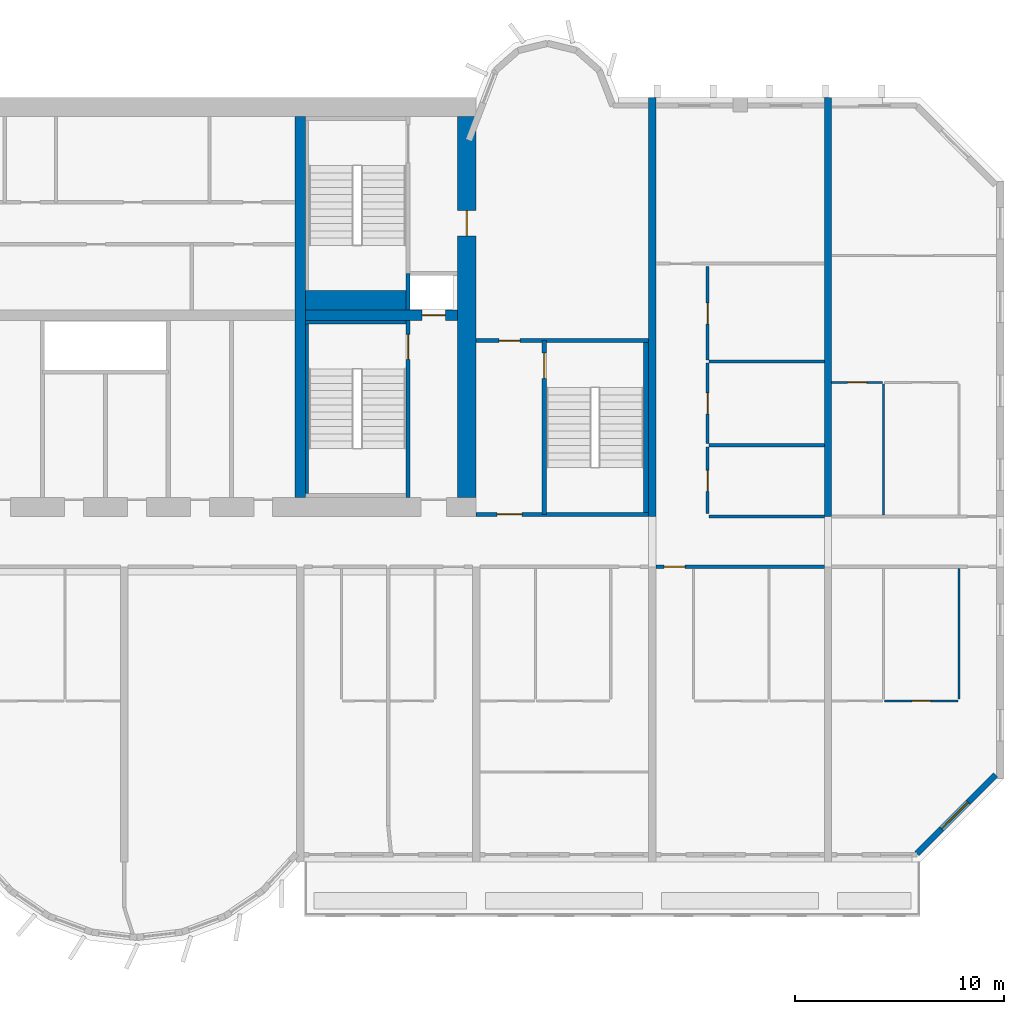
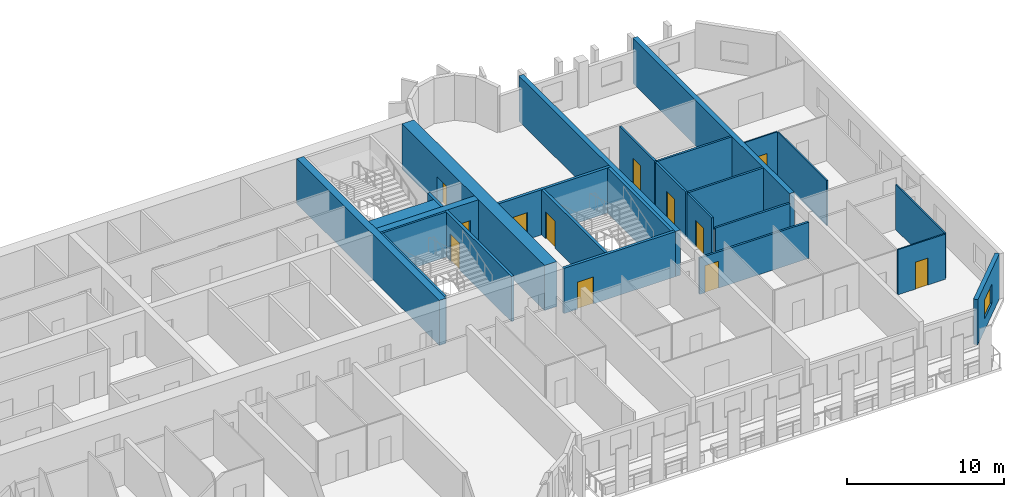
# One storey, part 9 of 14: 26 walls, 12 doors, 1 window, 13 openings.
"""IFC4 building model written with IfcOpenShell, lengths in metres."""

from ifc_helpers import new_model, si_unit, direction, frame, frame_2d, origin, place, context, subcontext, project, spatial, rectangle, extrude, source, transform, mapped, material, layer, layer_set, type_object, element, fill, save


model = new_model("IFC4")

# Units and contexts
model_context = context("Model", 3, precision=1e-05, world=origin(), true_north=direction((0.0, 1.0)))
body_context = subcontext(model_context, "Body", "Model", "MODEL_VIEW")
ifc_project = project(units=[si_unit("LENGTHUNIT", "METRE"), si_unit("AREAUNIT", "SQUARE_METRE"), si_unit("VOLUMEUNIT", "CUBIC_METRE"), si_unit("PLANEANGLEUNIT", "RADIAN"), si_unit("MASSUNIT", "GRAM", prefix="KILO")], contexts=[model_context])

# Site, building, storey
site_placement = place(None, origin())
site = spatial("IfcSite", under=ifc_project, at=site_placement, CompositionType="ELEMENT")
building_placement = place(site_placement, origin())
building = spatial("IfcBuilding", under=site, at=building_placement, Name="Vanashikhar Sky Hotel", CompositionType="ELEMENT")
storey_placement = place(building_placement, frame((0.0, 0.0, 118.0)))
storey = spatial("IfcBuildingStorey", under=building, at=storey_placement, Name="L28", CompositionType="ELEMENT", Elevation=118.0)

# Wall, opening, door
ifc_material_1 = material(Name="Concrete M70", Category="concrete")
ifc_layer_1 = layer(ifc_material_1, 0.89990234375)
ifc_layer_set_1 = layer_set([ifc_layer_1], Name="RC core shell wall 900 Concrete M70")
wall_type_1 = type_object("IfcWallType", Name="RC core shell wall 900 Concrete M70", PredefinedType="SHEAR", material=ifc_layer_set_1)
shared_shape_1 = source(origin(), body_context, "Body", "SweptSolid", [
    extrude(rectangle(XDim=18.2001953125, YDim=0.89990234375, at=frame_2d((9.10009765625, 0.0))), origin(), (0.0, 0.0, 1.0), 3.52001953125),
])
wall_1_placement = place(storey_placement, frame((75.14990234375, 22.89990234375, 0.0), z_axis=(0.0, 0.0, 1.0), x_axis=(0.0, 1.0, 0.0)))
wall_1 = element("IfcWall", 1, at=wall_1_placement, inside=storey, type_object=wall_type_1, Name="KW-L28-KE", PredefinedType="SHEAR", context=body_context, shape_type="MappedRepresentation", body=[
    mapped(shared_shape_1, transform((0.0, 0.0, 0.0), scale=1.0)),
])
shared_shape_2 = source(origin(), body_context, "Body", "SweptSolid", [
    extrude(rectangle(XDim=1.199951171875, YDim=2.10009765625, at=frame_2d((0.60009765625, 1.050048828125))), frame((0.0, 0.4599609375, 0.0), z_axis=(0.0, -1.0, 0.0), x_axis=(1.0, 0.0, 0.0)), (0.0, 0.0, 1.0), 0.919921875),
])
opening_1_placement = place(wall_1_placement, frame((12.5, 0.0, 0.0)))
opening_1 = element("IfcOpeningElement", 2, at=opening_1_placement, cuts=wall_1, Name="Opening DC-4-D", PredefinedType="OPENING", context=body_context, shape_type="MappedRepresentation", body=[
    mapped(shared_shape_2, transform((0.0, 0.0, 0.0), scale=1.0)),
])
ifc_material_2 = material(Name="Steel", Category="steel")
door_type_1 = type_object("IfcDoorType", Name="Service door 1200 FD120", OperationType="NOTDEFINED", PredefinedType="DOOR", material=ifc_material_2)
shared_shape_3 = source(origin(), body_context, "Body", "SweptSolid", [
    extrude(rectangle(XDim=1.199951171875, YDim=2.10009765625, at=frame_2d((0.60009765625, 1.050048828125))), frame((0.0, 0.02490234375, 0.0), z_axis=(0.0, -1.0, 0.0), x_axis=(1.0, 0.0, 0.0)), (0.0, 0.0, 1.0), 0.050048828125),
])
door_1_placement = place(opening_1_placement, origin())
door_1 = element("IfcDoor", 3, at=door_1_placement, inside=storey, type_object=door_type_1, Name="Service door 1200 FD120", OperationType="SINGLE_SWING_RIGHT", OverallHeight=2.10009765625, OverallWidth=1.199951171875, PredefinedType="DOOR", context=body_context, shape_type="MappedRepresentation", body=[
    mapped(shared_shape_3, transform((0.0, 0.0, 0.0), scale=1.0)),
])
fill(opening_1, door_1)

# Wall
ifc_layer_2 = layer(ifc_material_1, 0.5)
ifc_layer_set_2 = layer_set([ifc_layer_2], Name="RC core inner wall 500 Concrete M70")
wall_type_2 = type_object("IfcWallType", Name="RC core inner wall 500 Concrete M70", PredefinedType="SHEAR", material=ifc_layer_set_2)
shared_shape_4 = source(origin(), body_context, "Body", "SweptSolid", [
    extrude(rectangle(XDim=18.2001953125, YDim=0.5, at=frame_2d((9.10009765625, 0.0))), origin(), (0.0, 0.0, 1.0), 3.52001953125),
])
wall_2_placement = place(storey_placement, frame((67.199951171875, 22.89990234375, 0.0), z_axis=(0.0, 0.0, 1.0), x_axis=(0.0, 1.0, 0.0)))
element("IfcWall", 4, at=wall_2_placement, inside=storey, type_object=wall_type_2, Name="KW-L28-KX3", PredefinedType="SHEAR", context=body_context, shape_type="MappedRepresentation", body=[
    mapped(shared_shape_4, transform((0.0, 0.0, 0.0), scale=1.0)),
])

# Wall, opening, door
shared_shape_5 = source(origin(), body_context, "Body", "SweptSolid", [
    extrude(rectangle(XDim=7.25, YDim=0.5, at=frame_2d((3.625, 0.0))), origin(), (0.0, 0.0, 1.0), 3.52001953125),
])
wall_3_placement = place(storey_placement, frame((67.449951171875, 31.60009765625, 0.0), z_axis=(0.0, 0.0, 1.0), x_axis=(1.0, 0.0, 0.0)))
wall_3 = element("IfcWall", 5, at=wall_3_placement, inside=storey, type_object=wall_type_2, Name="KW-L28-KY4", PredefinedType="SHEAR", context=body_context, shape_type="MappedRepresentation", body=[
    mapped(shared_shape_5, transform((0.0, 0.0, 0.0), scale=1.0)),
])
shared_shape_6 = source(origin(), body_context, "Body", "SweptSolid", [
    extrude(rectangle(XDim=1.10009765625, YDim=2.10009765625, at=frame_2d((0.550048828125, 1.050048828125))), frame((0.0, 0.260009765625, 0.0), z_axis=(0.0, -1.0, 0.0), x_axis=(1.0, 0.0, 0.0)), (0.0, 0.0, 1.0), 0.52001953125),
])
opening_2_placement = place(wall_3_placement, frame((5.574951171875, 0.0, 0.0)))
opening_2 = element("IfcOpeningElement", 6, at=opening_2_placement, cuts=wall_3, Name="Opening LD", PredefinedType="OPENING", context=body_context, shape_type="MappedRepresentation", body=[
    mapped(shared_shape_6, transform((0.0, 0.0, 0.0), scale=1.0)),
])
ifc_material_3 = material(Name="Stainless steel", Category="steel")
door_type_2 = type_object("IfcDoorType", Name="Lift landing door 1100", OperationType="NOTDEFINED", PredefinedType="DOOR", material=ifc_material_3)
shared_shape_7 = source(origin(), body_context, "Body", "SweptSolid", [
    extrude(rectangle(XDim=1.10009765625, YDim=2.10009765625, at=frame_2d((0.550048828125, 1.050048828125))), frame((0.0, 0.02490234375, 0.0), z_axis=(0.0, -1.0, 0.0), x_axis=(1.0, 0.0, 0.0)), (0.0, 0.0, 1.0), 0.050048828125),
])
door_2_placement = place(opening_2_placement, origin())
door_2 = element("IfcDoor", 7, at=door_2_placement, inside=storey, type_object=door_type_2, Name="Lift landing door 1100", OperationType="SLIDING_TO_RIGHT", OverallHeight=2.10009765625, OverallWidth=1.10009765625, PredefinedType="DOOR", context=body_context, shape_type="MappedRepresentation", body=[
    mapped(shared_shape_7, transform((0.0, 0.0, 0.0), scale=1.0)),
])
fill(opening_2, door_2)

# Walls
ifc_layer_3 = layer(ifc_material_1, 0.35009765625)
ifc_layer_set_3 = layer_set([ifc_layer_3], Name="RC shear wall 350 Concrete M70")
wall_type_3 = type_object("IfcWallType", Name="RC shear wall 350 Concrete M70", PredefinedType="SHEAR", material=ifc_layer_set_3)
shared_shape_8 = source(origin(), body_context, "Body", "SweptSolid", [
    extrude(rectangle(XDim=20.0, YDim=0.35009765625, at=frame_2d((10.0, 0.0))), origin(), (0.0, 0.0, 1.0), 3.52001953125),
])
for number, where, z_axis, x_axis, name in (
    (8, (84.0, 22.0, 0.0), (0.0, 0.0, 1.0), (0.0, 1.0, 0.0), "CW-L28-XW11-2"),
    (9, (92.39990234375, 22.0, 0.0), (0.0, 0.0, 1.0), (0.0, 1.0, 0.0), "CW-L28-XW12-2"),
):
    element("IfcWall", number, at=place(storey_placement, frame(where, z_axis=z_axis, x_axis=x_axis)), inside=storey, type_object=wall_type_3, Name=name, PredefinedType="SHEAR", context=body_context, shape_type="MappedRepresentation", body=[
        mapped(shared_shape_8, transform((0.0, 0.0, 0.0), scale=1.0)),
    ])

# Wall, opening, window
ifc_material_4 = material(Name="Concrete M50", Category="concrete")
ifc_layer_4 = layer(ifc_material_4, 0.300048828125)
ifc_layer_set_4 = layer_set([ifc_layer_4], Name="Lobe wall 300")
wall_type_4 = type_object("IfcWallType", Name="Lobe wall 300", PredefinedType="SOLIDWALL", material=ifc_layer_set_4)
shared_shape_9 = source(origin(), body_context, "Body", "SweptSolid", [
    extrude(rectangle(XDim=5.32568359375, YDim=0.300048828125, at=frame_2d((2.662841796875, 0.0))), origin(), (0.0, 0.0, 1.0), 3.52001953125),
])
wall_4_placement = place(storey_placement, frame((96.63427734375, 5.89990234375, 0.0), z_axis=(0.0, 0.0, 1.0), x_axis=(0.707083859269, 0.707129702361, 0.0)))
wall_4 = element("IfcWall", 10, at=wall_4_placement, inside=storey, type_object=wall_type_4, Name="Corner wall", PredefinedType="SOLIDWALL", context=body_context, shape_type="MappedRepresentation", body=[
    mapped(shared_shape_9, transform((0.0, 0.0, 0.0), scale=1.0)),
])
shared_shape_10 = source(origin(), body_context, "Body", "SweptSolid", [
    extrude(rectangle(XDim=1.800048828125, YDim=1.5, at=frame_2d((0.89990234375, 0.75))), frame((0.0, 0.16015625, 0.0), z_axis=(0.0, -1.0, 0.0), x_axis=(1.0, 0.0, 0.0)), (0.0, 0.0, 1.0), 0.320068359375),
])
opening_3_placement = place(wall_4_placement, frame((1.671875, 0.0, 0.89990234375)))
opening_3 = element("IfcOpeningElement", 11, at=opening_3_placement, cuts=wall_4, Name="Opening WN-4", PredefinedType="OPENING", context=body_context, shape_type="MappedRepresentation", body=[
    mapped(shared_shape_10, transform((0.0, 0.0, 0.0), scale=1.0)),
])
ifc_material_5 = material(Name="Glass", Category="glass")
window_type = type_object("IfcWindowType", Name="Corner window 1800 x 1500", PartitioningType="SINGLE_PANEL", PredefinedType="WINDOW", material=ifc_material_5)
shared_shape_11 = source(origin(), body_context, "Body", "SweptSolid", [
    extrude(rectangle(XDim=1.800048828125, YDim=1.5, at=frame_2d((0.89990234375, 0.75))), frame((0.0, 0.030029296875, 0.0), z_axis=(0.0, -1.0, 0.0), x_axis=(1.0, 0.0, 0.0)), (0.0, 0.0, 1.0), 0.06005859375),
])
window_placement = place(opening_3_placement, origin())
window = element("IfcWindow", 12, at=window_placement, inside=storey, type_object=window_type, Name="Window WN-4", OverallHeight=1.5, OverallWidth=1.800048828125, PartitioningType="SINGLE_PANEL", PredefinedType="WINDOW", context=body_context, shape_type="MappedRepresentation", body=[
    mapped(shared_shape_11, transform((0.0, 0.0, 0.0), scale=1.0)),
])
fill(opening_3, window)

# Wall, opening, door
ifc_layer_5 = layer(ifc_material_4, 0.199951171875)
ifc_layer_set_5 = layer_set([ifc_layer_5], Name="Stair wall 200")
wall_type_5 = type_object("IfcWallType", Name="Stair wall 200", PredefinedType="SOLIDWALL", material=ifc_layer_set_5)
shared_shape_12 = source(origin(), body_context, "Body", "SweptSolid", [
    extrude(rectangle(XDim=8.2998046875, YDim=0.199951171875, at=frame_2d((4.14990234375, 0.0))), origin(), (0.0, 0.0, 1.0), 3.52001953125),
])
wall_5_placement = place(storey_placement, frame((78.85009765625, 22.10009765625, 0.0), z_axis=(0.0, 0.0, 1.0), x_axis=(0.0, 1.0, 0.0)))
wall_5 = element("IfcWall", 13, at=wall_5_placement, inside=storey, type_object=wall_type_5, Name="Stair wall 200", PredefinedType="SOLIDWALL", context=body_context, shape_type="MappedRepresentation", body=[
    mapped(shared_shape_12, transform((0.0, 0.0, 0.0), scale=1.0)),
])
shared_shape_13 = source(origin(), body_context, "Body", "SweptSolid", [
    extrude(rectangle(XDim=1.199951171875, YDim=2.10009765625, at=frame_2d((0.60009765625, 1.050048828125))), frame((0.0, 0.10986328125, 0.0), z_axis=(0.0, -1.0, 0.0), x_axis=(1.0, 0.0, 0.0)), (0.0, 0.0, 1.0), 0.219970703125),
])
opening_4_placement = place(wall_5_placement, frame((6.5, 0.0, 0.0)))
opening_4 = element("IfcOpeningElement", 14, at=opening_4_placement, cuts=wall_5, Name="Opening DC-1", PredefinedType="OPENING", context=body_context, shape_type="MappedRepresentation", body=[
    mapped(shared_shape_13, transform((0.0, 0.0, 0.0), scale=1.0)),
])
door_type_3 = type_object("IfcDoorType", Name="Stair door 1200 FD120", OperationType="NOTDEFINED", PredefinedType="DOOR", material=ifc_material_2)
door_3_placement = place(opening_4_placement, origin())
door_3 = element("IfcDoor", 15, at=door_3_placement, inside=storey, type_object=door_type_3, Name="Stair door 1200 FD120", OperationType="SINGLE_SWING_RIGHT", OverallHeight=2.10009765625, OverallWidth=1.199951171875, PredefinedType="DOOR", context=body_context, shape_type="MappedRepresentation", body=[
    mapped(shared_shape_3, transform((0.0, 0.0, 0.0), scale=1.0)),
])
fill(opening_4, door_3)

shared_shape_14 = source(origin(), body_context, "Body", "SweptSolid", [
    extrude(rectangle(XDim=8.4501953125, YDim=0.199951171875, at=frame_2d((4.22509765625, 0.0))), origin(), (0.0, 0.0, 1.0), 3.52001953125),
])
wall_6_placement = place(storey_placement, frame((72.35009765625, 22.89990234375, 0.0), z_axis=(0.0, 0.0, 1.0), x_axis=(0.0, 1.0, 0.0)))
wall_6 = element("IfcWall", 16, at=wall_6_placement, inside=storey, type_object=wall_type_5, Name="Stair wall 200", PredefinedType="SOLIDWALL", context=body_context, shape_type="MappedRepresentation", body=[
    mapped(shared_shape_14, transform((0.0, 0.0, 0.0), scale=1.0)),
])
opening_5_placement = place(wall_6_placement, frame((6.60009765625, 0.0, 0.0)))
opening_5 = element("IfcOpeningElement", 17, at=opening_5_placement, cuts=wall_6, Name="Opening DC-1", PredefinedType="OPENING", context=body_context, shape_type="MappedRepresentation", body=[
    mapped(shared_shape_13, transform((0.0, 0.0, 0.0), scale=1.0)),
])
door_4_placement = place(opening_5_placement, origin())
door_4 = element("IfcDoor", 18, at=door_4_placement, inside=storey, type_object=door_type_3, Name="Stair door 1200 FD120", OperationType="SINGLE_SWING_LEFT", OverallHeight=2.10009765625, OverallWidth=1.199951171875, PredefinedType="DOOR", context=body_context, shape_type="MappedRepresentation", body=[
    mapped(shared_shape_3, transform((0.0, 0.0, 0.0), scale=1.0)),
])
fill(opening_5, door_4)

# Wall
ifc_material_6 = material(Name="Concrete M40", Category="concrete")
ifc_layer_6 = layer(ifc_material_6, 0.199951171875)
ifc_layer_set_6 = layer_set([ifc_layer_6], Name="Shaft wall 200")
wall_type_6 = type_object("IfcWallType", Name="Shaft wall 200", PredefinedType="SOLIDWALL", material=ifc_layer_set_6)
shared_shape_15 = source(origin(), body_context, "Body", "SweptSolid", [
    extrude(rectangle(XDim=1.75, YDim=0.199951171875, at=frame_2d((0.875, 0.0))), origin(), (0.0, 0.0, 1.0), 3.52001953125),
])
wall_7_placement = place(storey_placement, frame((72.35009765625, 31.85009765625, 0.0), z_axis=(0.0, 0.0, 1.0), x_axis=(0.0, 1.0, 0.0)))
element("IfcWall", 19, at=wall_7_placement, inside=storey, type_object=wall_type_6, Name="Shaft wall 200", PredefinedType="SOLIDWALL", context=body_context, shape_type="MappedRepresentation", body=[
    mapped(shared_shape_15, transform((0.0, 0.0, 0.0), scale=1.0)),
])

# Wall, opening, door
shared_shape_16 = source(origin(), body_context, "Body", "SweptSolid", [
    extrude(rectangle(XDim=8.224853515625, YDim=0.199951171875, at=frame_2d((4.1123046875, 0.0))), origin(), (0.0, 0.0, 1.0), 3.52001953125),
])
wall_8_placement = place(storey_placement, frame((83.824951171875, 22.10009765625, 0.0), z_axis=(0.0, 0.0, 1.0), x_axis=(-1.0, 0.0, 0.0)))
wall_8 = element("IfcWall", 20, at=wall_8_placement, inside=storey, type_object=wall_type_5, Name="Stair wall 200", PredefinedType="SOLIDWALL", context=body_context, shape_type="MappedRepresentation", body=[
    mapped(shared_shape_16, transform((0.0, 0.0, 0.0), scale=1.0)),
])
opening_6_placement = place(wall_8_placement, frame((6.02490234375, 0.0, 0.0)))
opening_6 = element("IfcOpeningElement", 21, at=opening_6_placement, cuts=wall_8, Name="Opening DC-2", PredefinedType="OPENING", context=body_context, shape_type="MappedRepresentation", body=[
    mapped(shared_shape_13, transform((0.0, 0.0, 0.0), scale=1.0)),
])
door_type_4 = type_object("IfcDoorType", Name="Firefighting lobby door 1200 FD120", OperationType="NOTDEFINED", PredefinedType="DOOR", material=ifc_material_2)
door_5_placement = place(opening_6_placement, origin())
door_5 = element("IfcDoor", 22, at=door_5_placement, inside=storey, type_object=door_type_4, Name="Firefighting lobby door 1200 FD120", OperationType="SINGLE_SWING_RIGHT", OverallHeight=2.10009765625, OverallWidth=1.199951171875, PredefinedType="DOOR", context=body_context, shape_type="MappedRepresentation", body=[
    mapped(shared_shape_3, transform((0.0, 0.0, 0.0), scale=1.0)),
])
fill(opening_6, door_5)

wall_9_placement = place(storey_placement, frame((83.824951171875, 30.39990234375, 0.0), z_axis=(0.0, 0.0, 1.0), x_axis=(-1.0, 0.0, 0.0)))
wall_9 = element("IfcWall", 23, at=wall_9_placement, inside=storey, type_object=wall_type_5, Name="Stair wall 200", PredefinedType="SOLIDWALL", context=body_context, shape_type="MappedRepresentation", body=[
    mapped(shared_shape_16, transform((0.0, 0.0, 0.0), scale=1.0)),
])
shared_shape_17 = source(origin(), body_context, "Body", "SweptSolid", [
    extrude(rectangle(XDim=1.0, YDim=2.10009765625, at=frame_2d((0.5, 1.050048828125))), frame((0.0, 0.10986328125, 0.0), z_axis=(0.0, -1.0, 0.0), x_axis=(1.0, 0.0, 0.0)), (0.0, 0.0, 1.0), 0.219970703125),
])
opening_7_placement = place(wall_9_placement, frame((6.125, 0.0, 0.0)))
opening_7 = element("IfcOpeningElement", 24, at=opening_7_placement, cuts=wall_9, Name="Opening DC-6", PredefinedType="OPENING", context=body_context, shape_type="MappedRepresentation", body=[
    mapped(shared_shape_17, transform((0.0, 0.0, 0.0), scale=1.0)),
])
door_type_5 = type_object("IfcDoorType", Name="Pocket door 1000 FD60", OperationType="NOTDEFINED", PredefinedType="DOOR", material=ifc_material_2)
shared_shape_18 = source(origin(), body_context, "Body", "SweptSolid", [
    extrude(rectangle(XDim=1.0, YDim=2.10009765625, at=frame_2d((0.5, 1.050048828125))), frame((0.0, 0.02490234375, 0.0), z_axis=(0.0, -1.0, 0.0), x_axis=(1.0, 0.0, 0.0)), (0.0, 0.0, 1.0), 0.050048828125),
])
door_6_placement = place(opening_7_placement, origin())
door_6 = element("IfcDoor", 25, at=door_6_placement, inside=storey, type_object=door_type_5, Name="Pocket door 1000 FD60", OperationType="SINGLE_SWING_RIGHT", OverallHeight=2.10009765625, OverallWidth=1.0, PredefinedType="DOOR", context=body_context, shape_type="MappedRepresentation", body=[
    mapped(shared_shape_18, transform((0.0, 0.0, 0.0), scale=1.0)),
])
fill(opening_7, door_6)

# Walls
ifc_layer_7 = layer(ifc_material_4, 0.14990234375)
ifc_layer_set_7 = layer_set([ifc_layer_7], Name="Stair infill wall 150")
wall_type_7 = type_object("IfcWallType", Name="Stair infill wall 150", PredefinedType="SOLIDWALL", material=ifc_layer_set_7)
shared_shape_19 = source(origin(), body_context, "Body", "SweptSolid", [
    extrude(rectangle(XDim=4.800048828125, YDim=0.14990234375, at=frame_2d((2.39990234375, 0.0))), origin(), (0.0, 0.0, 1.0), 3.52001953125),
])
wall_10_placement = place(storey_placement, frame((67.449951171875, 31.27490234375, 0.0), z_axis=(0.0, 0.0, 1.0), x_axis=(1.0, 0.0, 0.0)))
element("IfcWall", 26, at=wall_10_placement, inside=storey, type_object=wall_type_7, Name="Stair infill wall 150", PredefinedType="SOLIDWALL", context=body_context, shape_type="MappedRepresentation", body=[
    mapped(shared_shape_19, transform((0.0, 0.0, 0.0), scale=1.0)),
])
shared_shape_20 = source(origin(), body_context, "Body", "SweptSolid", [
    extrude(rectangle(XDim=8.099853515625, YDim=0.14990234375, at=frame_2d((4.0498046875, 0.0))), origin(), (0.0, 0.0, 1.0), 3.52001953125),
])
wall_11_placement = place(storey_placement, frame((67.52490234375, 23.10009765625, 0.0), z_axis=(0.0, 0.0, 1.0), x_axis=(0.0, 1.0, 0.0)))
element("IfcWall", 27, at=wall_11_placement, inside=storey, type_object=wall_type_7, Name="Stair infill wall 150", PredefinedType="SOLIDWALL", context=body_context, shape_type="MappedRepresentation", body=[
    mapped(shared_shape_20, transform((0.0, 0.0, 0.0), scale=1.0)),
])
ifc_layer_8 = layer(ifc_material_4, 0.22509765625)
ifc_layer_set_8 = layer_set([ifc_layer_8], Name="Stair infill wall 225")
wall_type_8 = type_object("IfcWallType", Name="Stair infill wall 225", PredefinedType="SOLIDWALL", material=ifc_layer_set_8)
shared_shape_21 = source(origin(), body_context, "Body", "SweptSolid", [
    extrude(rectangle(XDim=8.10009765625, YDim=0.22509765625, at=frame_2d((4.050048828125, 0.0))), origin(), (0.0, 0.0, 1.0), 3.52001953125),
])
wall_12_placement = place(storey_placement, frame((83.712890625, 22.199951171875, 0.0), z_axis=(0.0, 0.0, 1.0), x_axis=(0.0, 1.0, 0.0)))
element("IfcWall", 28, at=wall_12_placement, inside=storey, type_object=wall_type_8, Name="Stair infill wall 225", PredefinedType="SOLIDWALL", context=body_context, shape_type="MappedRepresentation", body=[
    mapped(shared_shape_21, transform((0.0, 0.0, 0.0), scale=1.0)),
])
ifc_layer_9 = layer(ifc_material_4, 0.949951171875)
ifc_layer_set_9 = layer_set([ifc_layer_9], Name="Stair infill wall 950")
wall_type_9 = type_object("IfcWallType", Name="Stair infill wall 950", PredefinedType="SOLIDWALL", material=ifc_layer_set_9)
shared_shape_22 = source(origin(), body_context, "Body", "SweptSolid", [
    extrude(rectangle(XDim=4.800048828125, YDim=0.949951171875, at=frame_2d((2.39990234375, 0.0))), origin(), (0.0, 0.0, 1.0), 3.52001953125),
])
wall_13_placement = place(storey_placement, frame((67.449951171875, 32.324951171875, 0.0), z_axis=(0.0, 0.0, 1.0), x_axis=(1.0, 0.0, 0.0)))
element("IfcWall", 29, at=wall_13_placement, inside=storey, type_object=wall_type_9, Name="Stair infill wall 950", PredefinedType="SOLIDWALL", context=body_context, shape_type="MappedRepresentation", body=[
    mapped(shared_shape_22, transform((0.0, 0.0, 0.0), scale=1.0)),
])

# Wall, opening, door
ifc_material_7 = material(Name="Gypsum plasterboard partition")
ifc_layer_10 = layer(ifc_material_7, 0.10009765625)
ifc_layer_set_10 = layer_set([ifc_layer_10], Name="Wet room partition 100")
wall_type_10 = type_object("IfcWallType", Name="Wet room partition 100", PredefinedType="PARTITIONING", material=ifc_layer_set_10)
shared_shape_23 = source(origin(), body_context, "Body", "SweptSolid", [
    extrude(rectangle(XDim=3.5, YDim=0.10009765625, at=frame_2d((1.75, 0.0))), origin(), (0.0, 0.0, 1.0), 3.52001953125),
])
wall_14_placement = place(storey_placement, frame((95.10009765625, 13.199951171875, 0.0), z_axis=(0.0, 0.0, 1.0), x_axis=(1.0, 0.0, 0.0)))
wall_14 = element("IfcWall", 30, at=wall_14_placement, inside=storey, type_object=wall_type_10, Name="W-L28-PW054", PredefinedType="PARTITIONING", context=body_context, shape_type="MappedRepresentation", body=[
    mapped(shared_shape_23, transform((0.0, 0.0, 0.0), scale=1.0)),
])
shared_shape_24 = source(origin(), body_context, "Body", "SweptSolid", [
    extrude(rectangle(XDim=0.89990234375, YDim=2.10009765625, at=frame_2d((0.449951171875, 1.050048828125))), frame((0.0, 0.06005859375, 0.0), z_axis=(0.0, -1.0, 0.0), x_axis=(1.0, 0.0, 0.0)), (0.0, 0.0, 1.0), 0.1201171875),
])
opening_8_placement = place(wall_14_placement, frame((1.300048828125, 0.0, 0.0)))
opening_8 = element("IfcOpeningElement", 31, at=opening_8_placement, cuts=wall_14, Name="Opening D-02", PredefinedType="OPENING", context=body_context, shape_type="MappedRepresentation", body=[
    mapped(shared_shape_24, transform((0.0, 0.0, 0.0), scale=1.0)),
])
ifc_material_8 = material(Name="Timber door", Category="wood")
door_type_6 = type_object("IfcDoorType", Name="Internal door 900", OperationType="NOTDEFINED", PredefinedType="DOOR", material=ifc_material_8)
shared_shape_25 = source(origin(), body_context, "Body", "SweptSolid", [
    extrude(rectangle(XDim=0.89990234375, YDim=2.10009765625, at=frame_2d((0.449951171875, 1.050048828125))), frame((0.0, 0.02490234375, 0.0), z_axis=(0.0, -1.0, 0.0), x_axis=(1.0, 0.0, 0.0)), (0.0, 0.0, 1.0), 0.050048828125),
])
door_7_placement = place(opening_8_placement, origin())
door_7 = element("IfcDoor", 32, at=door_7_placement, inside=storey, type_object=door_type_6, Name="D-L28-033", OperationType="SINGLE_SWING_RIGHT", OverallHeight=2.10009765625, OverallWidth=0.89990234375, PredefinedType="DOOR", context=body_context, shape_type="MappedRepresentation", body=[
    mapped(shared_shape_25, transform((0.0, 0.0, 0.0), scale=1.0)),
])
fill(opening_8, door_7)

# Walls
shared_shape_26 = source(origin(), body_context, "Body", "SweptSolid", [
    extrude(rectangle(XDim=6.25, YDim=0.10009765625, at=frame_2d((3.125, 0.0))), origin(), (0.0, 0.0, 1.0), 3.52001953125),
])
for number, where, z_axis, x_axis, name in (
    (33, (98.64990234375, 13.27490234375, 0.0), (0.0, 0.0, 1.0), (0.0, 1.0, 0.0), "W-L28-PW052"),
    (34, (95.050048828125, 22.074951171875, 0.0), (0.0, 0.0, 1.0), (0.0, 1.0, 0.0), "W-L28-PW079"),
):
    element("IfcWall", number, at=place(storey_placement, frame(where, z_axis=z_axis, x_axis=x_axis)), inside=storey, type_object=wall_type_10, Name=name, PredefinedType="PARTITIONING", context=body_context, shape_type="MappedRepresentation", body=[
        mapped(shared_shape_26, transform((0.0, 0.0, 0.0), scale=1.0)),
    ])

# Wall, opening, door
ifc_layer_11 = layer(ifc_material_7, 0.14990234375)
ifc_layer_set_11 = layer_set([ifc_layer_11], Name="Corridor and demising partition 150")
wall_type_11 = type_object("IfcWallType", Name="Corridor and demising partition 150", PredefinedType="PARTITIONING", material=ifc_layer_set_11)
shared_shape_27 = source(origin(), body_context, "Body", "SweptSolid", [
    extrude(rectangle(XDim=3.175048828125, YDim=0.14990234375, at=frame_2d((1.58740234375, 0.0))), origin(), (0.0, 0.0, 1.0), 3.52001953125),
])
wall_15_placement = place(storey_placement, frame((86.64990234375, 22.14990234375, 0.0), z_axis=(0.0, 0.0, 1.0), x_axis=(0.0, 1.0, 0.0)))
wall_15 = element("IfcWall", 35, at=wall_15_placement, inside=storey, type_object=wall_type_11, Name="W-L28-PW072", PredefinedType="PARTITIONING", context=body_context, shape_type="MappedRepresentation", body=[
    mapped(shared_shape_27, transform((0.0, 0.0, 0.0), scale=1.0)),
])
shared_shape_28 = source(origin(), body_context, "Body", "SweptSolid", [
    extrude(rectangle(XDim=1.0, YDim=2.10009765625, at=frame_2d((0.5, 1.050048828125))), frame((0.0, 0.0849609375, 0.0), z_axis=(0.0, -1.0, 0.0), x_axis=(1.0, 0.0, 0.0)), (0.0, 0.0, 1.0), 0.169921875),
])
opening_9_placement = place(wall_15_placement, frame((1.050048828125, 0.0, 0.0)))
opening_9 = element("IfcOpeningElement", 36, at=opening_9_placement, cuts=wall_15, Name="Opening D-01", PredefinedType="OPENING", context=body_context, shape_type="MappedRepresentation", body=[
    mapped(shared_shape_28, transform((0.0, 0.0, 0.0), scale=1.0)),
])
ifc_material_9 = material(Name="Timber fire door", Category="wood")
door_type_7 = type_object("IfcDoorType", Name="Guest entry door 1000 FD30S", OperationType="NOTDEFINED", PredefinedType="DOOR", material=ifc_material_9)
door_8_placement = place(opening_9_placement, origin())
door_8 = element("IfcDoor", 37, at=door_8_placement, inside=storey, type_object=door_type_7, Name="D-L28-043", OperationType="SINGLE_SWING_LEFT", OverallHeight=2.10009765625, OverallWidth=1.0, PredefinedType="DOOR", context=body_context, shape_type="MappedRepresentation", body=[
    mapped(shared_shape_18, transform((0.0, 0.0, 0.0), scale=1.0)),
])
fill(opening_9, door_8)

shared_shape_29 = source(origin(), body_context, "Body", "SweptSolid", [
    extrude(rectangle(XDim=3.849853515625, YDim=0.14990234375, at=frame_2d((1.9248046875, 0.0))), origin(), (0.0, 0.0, 1.0), 3.52001953125),
])
wall_16_placement = place(storey_placement, frame((86.64990234375, 25.47509765625, 0.0), z_axis=(0.0, 0.0, 1.0), x_axis=(0.0, 1.0, 0.0)))
wall_16 = element("IfcWall", 38, at=wall_16_placement, inside=storey, type_object=wall_type_11, Name="W-L28-PW074", PredefinedType="PARTITIONING", context=body_context, shape_type="MappedRepresentation", body=[
    mapped(shared_shape_29, transform((0.0, 0.0, 0.0), scale=1.0)),
])
opening_10_placement = place(wall_16_placement, frame((1.425048828125, 0.0, 0.0)))
opening_10 = element("IfcOpeningElement", 39, at=opening_10_placement, cuts=wall_16, Name="Opening D-01", PredefinedType="OPENING", context=body_context, shape_type="MappedRepresentation", body=[
    mapped(shared_shape_28, transform((0.0, 0.0, 0.0), scale=1.0)),
])
door_9_placement = place(opening_10_placement, origin())
door_9 = element("IfcDoor", 40, at=door_9_placement, inside=storey, type_object=door_type_7, Name="D-L28-044", OperationType="SINGLE_SWING_LEFT", OverallHeight=2.10009765625, OverallWidth=1.0, PredefinedType="DOOR", context=body_context, shape_type="MappedRepresentation", body=[
    mapped(shared_shape_18, transform((0.0, 0.0, 0.0), scale=1.0)),
])
fill(opening_10, door_9)

shared_shape_30 = source(origin(), body_context, "Body", "SweptSolid", [
    extrude(rectangle(XDim=4.449951171875, YDim=0.14990234375, at=frame_2d((2.22509765625, 0.0))), origin(), (0.0, 0.0, 1.0), 3.52001953125),
])
wall_17_placement = place(storey_placement, frame((86.64990234375, 29.47509765625, 0.0), z_axis=(0.0, 0.0, 1.0), x_axis=(0.0, 1.0, 0.0)))
wall_17 = element("IfcWall", 41, at=wall_17_placement, inside=storey, type_object=wall_type_11, Name="W-L28-PW076", PredefinedType="PARTITIONING", context=body_context, shape_type="MappedRepresentation", body=[
    mapped(shared_shape_30, transform((0.0, 0.0, 0.0), scale=1.0)),
])
opening_11_placement = place(wall_17_placement, frame((1.72509765625, 0.0, 0.0)))
opening_11 = element("IfcOpeningElement", 42, at=opening_11_placement, cuts=wall_17, Name="Opening D-01", PredefinedType="OPENING", context=body_context, shape_type="MappedRepresentation", body=[
    mapped(shared_shape_28, transform((0.0, 0.0, 0.0), scale=1.0)),
])
door_10_placement = place(opening_11_placement, origin())
door_10 = element("IfcDoor", 43, at=door_10_placement, inside=storey, type_object=door_type_7, Name="D-L28-045", OperationType="SINGLE_SWING_LEFT", OverallHeight=2.10009765625, OverallWidth=1.0, PredefinedType="DOOR", context=body_context, shape_type="MappedRepresentation", body=[
    mapped(shared_shape_18, transform((0.0, 0.0, 0.0), scale=1.0)),
])
fill(opening_11, door_10)

shared_shape_31 = source(origin(), body_context, "Body", "SweptSolid", [
    extrude(rectangle(XDim=8.050048828125, YDim=0.14990234375, at=frame_2d((4.02490234375, 0.0))), origin(), (0.0, 0.0, 1.0), 2.820068359375),
])
wall_18_placement = place(storey_placement, frame((84.175048828125, 19.60009765625, 0.0), z_axis=(0.0, 0.0, 1.0), x_axis=(1.0, 0.0, 0.0)))
wall_18 = element("IfcWall", 44, at=wall_18_placement, inside=storey, type_object=wall_type_11, Name="W-L28-PW051", PredefinedType="PARTITIONING", context=body_context, shape_type="MappedRepresentation", body=[
    mapped(shared_shape_31, transform((0.0, 0.0, 0.0), scale=1.0)),
])
opening_12_placement = place(wall_18_placement, frame((0.39990234375, 0.0, 0.0)))
opening_12 = element("IfcOpeningElement", 45, at=opening_12_placement, cuts=wall_18, Name="Opening D-01", PredefinedType="OPENING", context=body_context, shape_type="MappedRepresentation", body=[
    mapped(shared_shape_28, transform((0.0, 0.0, 0.0), scale=1.0)),
])
door_11_placement = place(opening_12_placement, origin())
door_11 = element("IfcDoor", 46, at=door_11_placement, inside=storey, type_object=door_type_7, Name="D-L28-032", OperationType="SINGLE_SWING_LEFT", OverallHeight=2.10009765625, OverallWidth=1.0, PredefinedType="DOOR", context=body_context, shape_type="MappedRepresentation", body=[
    mapped(shared_shape_18, transform((0.0, 0.0, 0.0), scale=1.0)),
])
fill(opening_12, door_11)

# Walls
shared_shape_32 = source(origin(), body_context, "Body", "SweptSolid", [
    extrude(rectangle(XDim=5.5, YDim=0.14990234375, at=frame_2d((2.75, 0.0))), origin(), (0.0, 0.0, 1.0), 2.820068359375),
])
wall_19_placement = place(storey_placement, frame((86.72509765625, 22.0, 0.0), z_axis=(0.0, 0.0, 1.0), x_axis=(1.0, 0.0, 0.0)))
element("IfcWall", 47, at=wall_19_placement, inside=storey, type_object=wall_type_11, Name="W-L28-PW071", PredefinedType="PARTITIONING", context=body_context, shape_type="MappedRepresentation", body=[
    mapped(shared_shape_32, transform((0.0, 0.0, 0.0), scale=1.0)),
])
shared_shape_33 = source(origin(), body_context, "Body", "SweptSolid", [
    extrude(rectangle(XDim=5.5, YDim=0.14990234375, at=frame_2d((2.75, 0.0))), origin(), (0.0, 0.0, 1.0), 3.52001953125),
])
for number, where, z_axis, x_axis, name in (
    (48, (86.72509765625, 25.39990234375, 0.0), (0.0, 0.0, 1.0), (1.0, 0.0, 0.0), "W-L28-PW073"),
    (49, (86.72509765625, 29.39990234375, 0.0), (0.0, 0.0, 1.0), (1.0, 0.0, 0.0), "W-L28-PW075"),
):
    element("IfcWall", number, at=place(storey_placement, frame(where, z_axis=z_axis, x_axis=x_axis)), inside=storey, type_object=wall_type_11, Name=name, PredefinedType="PARTITIONING", context=body_context, shape_type="MappedRepresentation", body=[
        mapped(shared_shape_33, transform((0.0, 0.0, 0.0), scale=1.0)),
    ])

# Wall, opening, door
shared_shape_34 = source(origin(), body_context, "Body", "SweptSolid", [
    extrude(rectangle(XDim=2.425048828125, YDim=0.10009765625, at=frame_2d((1.21240234375, 0.0))), origin(), (0.0, 0.0, 1.0), 3.52001953125),
])
wall_20_placement = place(storey_placement, frame((92.574951171875, 28.39990234375, 0.0), z_axis=(0.0, 0.0, 1.0), x_axis=(1.0, 0.0, 0.0)))
wall_20 = element("IfcWall", 50, at=wall_20_placement, inside=storey, type_object=wall_type_10, Name="W-L28-PW081", PredefinedType="PARTITIONING", context=body_context, shape_type="MappedRepresentation", body=[
    mapped(shared_shape_34, transform((0.0, 0.0, 0.0), scale=1.0)),
])
opening_13_placement = place(wall_20_placement, frame((0.762939453125, 0.0, 0.0)))
opening_13 = element("IfcOpeningElement", 51, at=opening_13_placement, cuts=wall_20, Name="Opening D-02", PredefinedType="OPENING", context=body_context, shape_type="MappedRepresentation", body=[
    mapped(shared_shape_24, transform((0.0, 0.0, 0.0), scale=1.0)),
])
door_12_placement = place(opening_13_placement, origin())
door_12 = element("IfcDoor", 52, at=door_12_placement, inside=storey, type_object=door_type_6, Name="D-L28-048", OperationType="SINGLE_SWING_RIGHT", OverallHeight=2.10009765625, OverallWidth=0.89990234375, PredefinedType="DOOR", context=body_context, shape_type="MappedRepresentation", body=[
    mapped(shared_shape_25, transform((0.0, 0.0, 0.0), scale=1.0)),
])
fill(opening_13, door_12)

save(model, "model.ifc")
